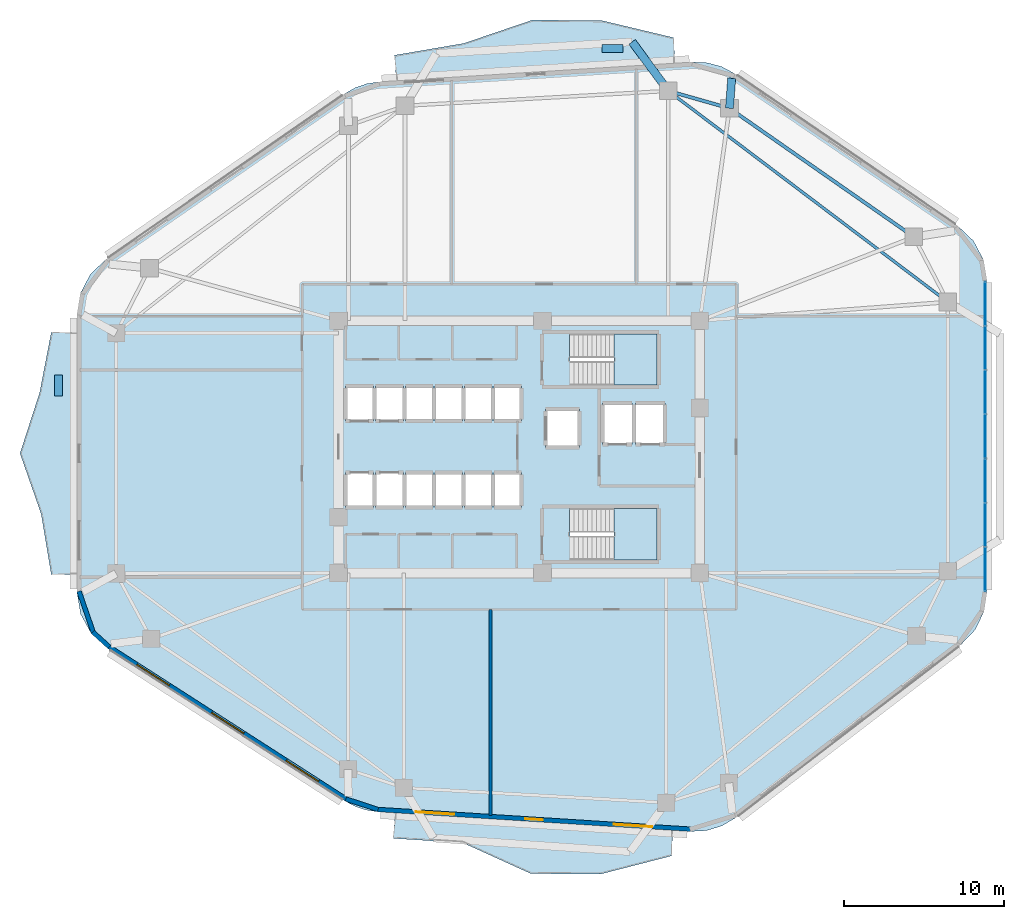
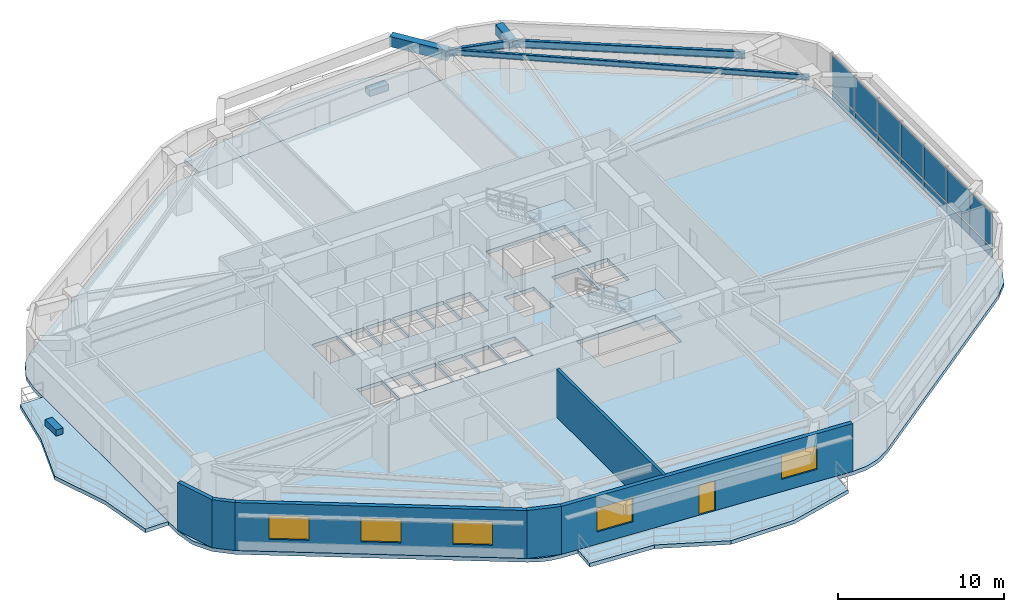
# One storey, part 7 of 14: 16 plates, 6 slabs, 6 walls, 5 beams, 5 windows, 1 door, 6 openings, 3 elements without a shape of their own.
"""IFC4 building model written with IfcOpenShell, lengths in metres."""

from ifc_helpers import new_model, si_unit, direction, frame, frame_2d, origin, origin_2d, place, context, subcontext, project, spatial, polyline, rectangle, i_section, outline, extrude, material, layer, layer_set, material_profile, profile_set, type_object, element, fill, aggregate, save


model = new_model("IFC4")

# Units and contexts
model_context = context("Model", 3, precision=1e-05, world=origin(), true_north=direction((0.0, 1.0)))
body_context = subcontext(model_context, "Body", "Model", "MODEL_VIEW")
ifc_project = project(units=[si_unit("LENGTHUNIT", "METRE"), si_unit("AREAUNIT", "SQUARE_METRE"), si_unit("VOLUMEUNIT", "CUBIC_METRE"), si_unit("PLANEANGLEUNIT", "RADIAN"), si_unit("MASSUNIT", "GRAM", prefix="KILO")], contexts=[model_context])

# Site, building, storey
site_placement = place(None, origin())
site = spatial("IfcSite", under=ifc_project, at=site_placement, CompositionType="ELEMENT")
building_placement = place(site_placement, origin())
building = spatial("IfcBuilding", under=site, at=building_placement, Name="Zulverin Broadcast Headquarters", CompositionType="ELEMENT")
storey_placement = place(building_placement, frame((0.0, 0.0, 85.800048828125)))
storey = spatial("IfcBuildingStorey", under=building, at=storey_placement, Name="L21", CompositionType="ELEMENT", Elevation=85.800048828125)

# Beams
ifc_material_1 = material(Name="Concrete C40/50", Category="concrete")
ifc_material_profile_1 = material_profile(ifc_material_1, rectangle(XDim=0.5, YDim=0.75, at=origin_2d()), Name="Concrete C40/50", Category="concrete")
ifc_profile_set_1 = profile_set([ifc_material_profile_1], Name="Concrete C40/50")
beam_type_1 = type_object("IfcBeamType", Name="BM-RC-500x750", PredefinedType="BEAM", material=ifc_profile_set_1)
beam_1_placement = place(storey_placement, frame((50.121826171875, 46.325927734375, 3.14990234375), z_axis=(0.073023006252, 0.997330256514, 0.0), x_axis=(-0.997330256514, 0.073023006252, 0.0)))
element("IfcBeam", 1, at=beam_1_placement, inside=storey, type_object=beam_type_1, Name="L22 Plate Overhang Back-Spanned Beam OVR-08", PredefinedType="BEAM", context=body_context, shape_type="SweptSolid", body=[
    extrude(rectangle(XDim=0.5, YDim=0.75, at=origin_2d()), origin(), (0.0, 0.0, 1.0), 1.875732421875),
])
beam_2_placement = place(storey_placement, frame((46.30224609375, 47.4091796875, 3.14990234375), z_axis=(-0.592925064887, 0.805257640404, 0.0), x_axis=(-0.805257640404, -0.592925064887, 0.0)))
element("IfcBeam", 2, at=beam_2_placement, inside=storey, type_object=beam_type_1, Name="L22 Balcony Column-Framed Cantilever BAL_N-1", PredefinedType="BEAM", context=body_context, shape_type="SweptSolid", body=[
    extrude(rectangle(XDim=0.5, YDim=0.75, at=origin_2d()), origin(), (0.0, 0.0, 1.0), 3.800048828125),
])
ifc_material_2 = material(Name="Structural steel S355JR", Category="steel")
ifc_material_profile_2 = material_profile(ifc_material_2, i_section(OverallWidth=0.179443359375, OverallDepth=0.412841796875, WebThickness=0.009521484375, FlangeThickness=0.01611328125, at=origin_2d()), Name="Structural steel S355JR", Category="steel")
ifc_profile_set_2 = profile_set([ifc_material_profile_2], Name="Structural steel S355JR")
beam_type_2 = type_object("IfcBeamType", Name="BM-UB-406", PredefinedType="JOIST", material=ifc_profile_set_2)
beam_3_placement = place(storey_placement, frame((63.75, 34.235107421875, 3.318603515625), z_axis=(-0.798058136838, 0.602580459546, 0.0), x_axis=(-0.602580459546, -0.798058136838, 0.0)))
element("IfcBeam", 3, at=beam_3_placement, inside=storey, type_object=beam_type_2, Name="L21 Chordal Floor Joist J-02", PredefinedType="JOIST", context=body_context, shape_type="SweptSolid", body=[
    extrude(i_section(OverallWidth=0.179443359375, OverallDepth=0.412841796875, WebThickness=0.009521484375, FlangeThickness=0.01611328125, at=origin_2d()), origin(), (0.0, 0.0, 1.0), 21.86279296875),
])
ifc_material_profile_3 = material_profile(ifc_material_2, i_section(OverallWidth=0.2119140625, OverallDepth=0.54443359375, WebThickness=0.0126953125, FlangeThickness=0.021240234375, at=origin_2d()), Name="Structural steel S355JR", Category="steel")
ifc_profile_set_3 = profile_set([ifc_material_profile_3], Name="Structural steel S355JR")
beam_type_3 = type_object("IfcBeamType", Name="BM-UB-533", PredefinedType="SPANDREL", material=ifc_profile_set_3)
beam_4_placement = place(storey_placement, frame((61.630126953125, 38.298583984375, 3.252685546875), z_axis=(-0.820183915206, 0.5720999434, 0.0), x_axis=(-0.5720999434, -0.820183915206, 0.0)))
element("IfcBeam", 4, at=beam_4_placement, inside=storey, type_object=beam_type_3, Name="L21 Perimeter Spandrel Beam SP-07", PredefinedType="SPANDREL", context=body_context, shape_type="SweptSolid", body=[
    extrude(i_section(OverallWidth=0.2119140625, OverallDepth=0.54443359375, WebThickness=0.0126953125, FlangeThickness=0.021240234375, at=origin_2d()), origin(), (0.0, 0.0, 1.0), 14.03125),
])
beam_5_placement = place(storey_placement, frame((50.121826171875, 46.325927734375, 3.252685546875), z_axis=(-0.962058150721, 0.272844487999, 0.0), x_axis=(-0.272844487999, -0.962058150721, 0.0)))
element("IfcBeam", 5, at=beam_5_placement, inside=storey, type_object=beam_type_3, Name="L21 Perimeter Spandrel Beam SP-08", PredefinedType="SPANDREL", context=body_context, shape_type="SweptSolid", body=[
    extrude(i_section(OverallWidth=0.2119140625, OverallDepth=0.54443359375, WebThickness=0.0126953125, FlangeThickness=0.021240234375, at=origin_2d()), origin(), (0.0, 0.0, 1.0), 3.97021484375),
])

# Curtain wall, plates
ifc_material_3 = material(Name="Low-zone ribbon unitised curtain wall", Category="aluminium")
curtain_wall_type = type_object("IfcCurtainWallType", Name="CW-TWR-LOW", PredefinedType="USERDEFINED", material=ifc_material_3)
curtain_wall_placement = place(storey_placement, origin())
curtain_wall = element("IfcCurtainWall", 6, at=curtain_wall_placement, inside=storey, type_object=curtain_wall_type, Name="L21 Unitised Curtain Wall CW-L21-E3", ObjectType="UNITISED CURTAIN WALL", PredefinedType="USERDEFINED")
ifc_material_4 = material(Name="Low-E double-glazed pale-silver vision glass", Category="glass")
ifc_layer_1 = layer(ifc_material_4, 0.035888671875, Name="Low-E double-glazed pale-silver vision glass", Category="glass")
ifc_layer_set_1 = layer_set([ifc_layer_1], Name="Low-E double-glazed pale-silver vision glass")
plate_type_1 = type_object("IfcPlateType", Name="CW-PNL-GLZ", PredefinedType="CURTAIN_PANEL", material=ifc_layer_set_1)
plate_1_placement = place(storey_placement, frame((66.080078125, 17.564208984375, 0.910888671875), z_axis=(0.0, 0.0, 1.0), x_axis=(0.0, 1.0, 0.0)))
plate_1 = element("IfcPlate", 7, at=plate_1_placement, type_object=plate_type_1, Name="CW-L21-E3 Vision Panel 00", PredefinedType="CURTAIN_PANEL", context=body_context, shape_type="SweptSolid", body=[
    extrude(rectangle(XDim=2.7216796875, YDim=0.035888671875, at=origin_2d()), origin(), (0.0, 0.0, 1.0), 2.47412109375),
])
plate_2_placement = place(storey_placement, frame((66.080078125, 20.32568359375, 0.910888671875), z_axis=(0.0, 0.0, 1.0), x_axis=(0.0, 1.0, 0.0)))
plate_2 = element("IfcPlate", 8, at=plate_2_placement, type_object=plate_type_1, Name="CW-L21-E3 Vision Panel 01", PredefinedType="CURTAIN_PANEL", context=body_context, shape_type="SweptSolid", body=[
    extrude(rectangle(XDim=2.7216796875, YDim=0.035888671875, at=origin_2d()), origin(), (0.0, 0.0, 1.0), 2.47412109375),
])
plate_3_placement = place(storey_placement, frame((66.080078125, 23.08740234375, 0.910888671875), z_axis=(0.0, 0.0, 1.0), x_axis=(0.0, 1.0, 0.0)))
plate_3 = element("IfcPlate", 9, at=plate_3_placement, type_object=plate_type_1, Name="CW-L21-E3 Vision Panel 02", PredefinedType="CURTAIN_PANEL", context=body_context, shape_type="SweptSolid", body=[
    extrude(rectangle(XDim=2.7216796875, YDim=0.035888671875, at=origin_2d()), origin(), (0.0, 0.0, 1.0), 2.47412109375),
])
plate_4_placement = place(storey_placement, frame((66.080078125, 25.848876953125, 0.910888671875), z_axis=(0.0, 0.0, 1.0), x_axis=(0.0, 1.0, 0.0)))
plate_4 = element("IfcPlate", 10, at=plate_4_placement, type_object=plate_type_1, Name="CW-L21-E3 Vision Panel 03", PredefinedType="CURTAIN_PANEL", context=body_context, shape_type="SweptSolid", body=[
    extrude(rectangle(XDim=2.7216796875, YDim=0.035888671875, at=origin_2d()), origin(), (0.0, 0.0, 1.0), 2.47412109375),
])
plate_5_placement = place(storey_placement, frame((66.080078125, 28.610595703125, 0.910888671875), z_axis=(0.0, 0.0, 1.0), x_axis=(0.0, 1.0, 0.0)))
plate_5 = element("IfcPlate", 11, at=plate_5_placement, type_object=plate_type_1, Name="CW-L21-E3 Vision Panel 04", PredefinedType="CURTAIN_PANEL", context=body_context, shape_type="SweptSolid", body=[
    extrude(rectangle(XDim=2.7216796875, YDim=0.035888671875, at=origin_2d()), origin(), (0.0, 0.0, 1.0), 2.47412109375),
])
plate_6_placement = place(storey_placement, frame((66.080078125, 31.3720703125, 0.910888671875), z_axis=(0.0, 0.0, 1.0), x_axis=(0.0, 1.0, 0.0)))
plate_6 = element("IfcPlate", 12, at=plate_6_placement, type_object=plate_type_1, Name="CW-L21-E3 Vision Panel 05", PredefinedType="CURTAIN_PANEL", context=body_context, shape_type="SweptSolid", body=[
    extrude(rectangle(XDim=2.7216796875, YDim=0.035888671875, at=origin_2d()), origin(), (0.0, 0.0, 1.0), 2.47412109375),
])
plate_7_placement = place(storey_placement, frame((66.080078125, 34.1337890625, 0.910888671875), z_axis=(0.0, 0.0, 1.0), x_axis=(0.0, 1.0, 0.0)))
plate_7 = element("IfcPlate", 13, at=plate_7_placement, type_object=plate_type_1, Name="CW-L21-E3 Vision Panel 06", PredefinedType="CURTAIN_PANEL", context=body_context, shape_type="SweptSolid", body=[
    extrude(rectangle(XDim=2.7216796875, YDim=0.035888671875, at=origin_2d()), origin(), (0.0, 0.0, 1.0), 2.47412109375),
])
ifc_material_5 = material(Name="Insulated brushed pale-aluminium spandrel cassette", Category="aluminium")
ifc_layer_2 = layer(ifc_material_5, 0.050048828125, Name="Insulated brushed pale-aluminium spandrel cassette", Category="aluminium")
ifc_layer_set_2 = layer_set([ifc_layer_2], Name="Insulated brushed pale-aluminium spandrel cassette")
plate_type_2 = type_object("IfcPlateType", Name="CW-PNL-SPN", PredefinedType="CURTAIN_PANEL", material=ifc_layer_set_2)
plate_8_placement = place(storey_placement, frame((66.080078125, 17.564208984375, 0.139892578125), z_axis=(0.0, 0.0, 1.0), x_axis=(0.0, 1.0, 0.0)))
plate_8 = element("IfcPlate", 14, at=plate_8_placement, type_object=plate_type_2, Name="CW-L21-E3 Spandrel Cassette 00", PredefinedType="CURTAIN_PANEL", context=body_context, shape_type="SweptSolid", body=[
    extrude(rectangle(XDim=2.7216796875, YDim=0.050048828125, at=origin_2d()), origin(), (0.0, 0.0, 1.0), 0.64111328125),
])
plate_9_placement = place(storey_placement, frame((66.080078125, 20.32568359375, 0.139892578125), z_axis=(0.0, 0.0, 1.0), x_axis=(0.0, 1.0, 0.0)))
plate_9 = element("IfcPlate", 15, at=plate_9_placement, type_object=plate_type_2, Name="CW-L21-E3 Spandrel Cassette 01", PredefinedType="CURTAIN_PANEL", context=body_context, shape_type="SweptSolid", body=[
    extrude(rectangle(XDim=2.7216796875, YDim=0.050048828125, at=origin_2d()), origin(), (0.0, 0.0, 1.0), 0.64111328125),
])
plate_10_placement = place(storey_placement, frame((66.080078125, 23.08740234375, 0.139892578125), z_axis=(0.0, 0.0, 1.0), x_axis=(0.0, 1.0, 0.0)))
plate_10 = element("IfcPlate", 16, at=plate_10_placement, type_object=plate_type_2, Name="CW-L21-E3 Spandrel Cassette 02", PredefinedType="CURTAIN_PANEL", context=body_context, shape_type="SweptSolid", body=[
    extrude(rectangle(XDim=2.7216796875, YDim=0.050048828125, at=origin_2d()), origin(), (0.0, 0.0, 1.0), 0.64111328125),
])
plate_11_placement = place(storey_placement, frame((66.080078125, 25.848876953125, 0.139892578125), z_axis=(0.0, 0.0, 1.0), x_axis=(0.0, 1.0, 0.0)))
plate_11 = element("IfcPlate", 17, at=plate_11_placement, type_object=plate_type_2, Name="CW-L21-E3 Spandrel Cassette 03", PredefinedType="CURTAIN_PANEL", context=body_context, shape_type="SweptSolid", body=[
    extrude(rectangle(XDim=2.7216796875, YDim=0.050048828125, at=origin_2d()), origin(), (0.0, 0.0, 1.0), 0.64111328125),
])
plate_12_placement = place(storey_placement, frame((66.080078125, 28.610595703125, 0.139892578125), z_axis=(0.0, 0.0, 1.0), x_axis=(0.0, 1.0, 0.0)))
plate_12 = element("IfcPlate", 18, at=plate_12_placement, type_object=plate_type_2, Name="CW-L21-E3 Spandrel Cassette 04", PredefinedType="CURTAIN_PANEL", context=body_context, shape_type="SweptSolid", body=[
    extrude(rectangle(XDim=2.7216796875, YDim=0.050048828125, at=origin_2d()), origin(), (0.0, 0.0, 1.0), 0.64111328125),
])
plate_13_placement = place(storey_placement, frame((66.080078125, 31.3720703125, 0.139892578125), z_axis=(0.0, 0.0, 1.0), x_axis=(0.0, 1.0, 0.0)))
plate_13 = element("IfcPlate", 19, at=plate_13_placement, type_object=plate_type_2, Name="CW-L21-E3 Spandrel Cassette 05", PredefinedType="CURTAIN_PANEL", context=body_context, shape_type="SweptSolid", body=[
    extrude(rectangle(XDim=2.7216796875, YDim=0.050048828125, at=origin_2d()), origin(), (0.0, 0.0, 1.0), 0.64111328125),
])
plate_14_placement = place(storey_placement, frame((66.080078125, 34.1337890625, 0.139892578125), z_axis=(0.0, 0.0, 1.0), x_axis=(0.0, 1.0, 0.0)))
plate_14 = element("IfcPlate", 20, at=plate_14_placement, type_object=plate_type_2, Name="CW-L21-E3 Spandrel Cassette 06", PredefinedType="CURTAIN_PANEL", context=body_context, shape_type="SweptSolid", body=[
    extrude(rectangle(XDim=2.7216796875, YDim=0.050048828125, at=origin_2d()), origin(), (0.0, 0.0, 1.0), 0.64111328125),
])
aggregate(curtain_wall, [plate_8, plate_1, plate_9, plate_2, plate_10, plate_3, plate_11, plate_4, plate_12, plate_5, plate_13, plate_6, plate_14, plate_7])

# Plates
ifc_material_6 = material(Name="Precast concrete C45/55", Category="concrete")
ifc_layer_3 = layer(ifc_material_6, 0.449951171875, Name="Precast concrete C45/55", Category="concrete")
ifc_layer_set_3 = layer_set([ifc_layer_3], Name="Precast concrete C45/55")
plate_type_3 = type_object("IfcPlateType", Name="PT-01_PRECAST_GFRC_TREE_PLANTER", PredefinedType="USERDEFINED", material=ifc_layer_set_3)
for number, where, z_axis, x_axis, name in (
    (21, (42.825927734375, 50.04638671875, -0.0048828125), (0.0, 0.0, 1.0), (1.0, 0.0, 0.0), "L21 Precast GFRC Tree Planter BAL_N"),
    (22, (8.25, 29.022216796875, -0.0048828125), (0.0, 0.0, 1.0), (0.0, 1.0, 0.0), "L21 Precast GFRC Tree Planter BAL_W"),
):
    element("IfcPlate", number, at=place(storey_placement, frame(where, z_axis=z_axis, x_axis=x_axis)), inside=storey, type_object=plate_type_3, Name=name, ObjectType="PLANTER", PredefinedType="USERDEFINED", context=body_context, shape_type="SweptSolid", body=[
        extrude(rectangle(XDim=1.300048828125, YDim=0.5, at=origin_2d()), origin(), (0.0, 0.0, 1.0), 0.449951171875),
    ])

# Slabs
ifc_layer_4 = layer(ifc_material_1, 0.27490234375, Name="Concrete C40/50", Category="concrete")
ifc_layer_set_4 = layer_set([ifc_layer_4], Name="Concrete C40/50")
slab_type_1 = type_object("IfcSlabType", Name="SLB-BAL-275", PredefinedType="FLOOR", material=ifc_layer_set_4)
slab_1_placement = place(storey_placement, frame((0.0, 0.0, -0.275146484375)))
element("IfcSlab", 23, at=slab_1_placement, inside=storey, type_object=slab_type_1, Name="L21 Cantilevered Planted Balcony Slab BAL_N", PredefinedType="FLOOR", context=body_context, shape_type="SweptSolid", body=[
    extrude(outline(polyline([(29.330078125, 48.04296875), (46.72509765625, 49.139892578125), (46.62451171875, 50.73681640625), (42.19189453125, 51.79296875), (37.8232421875, 51.8349609375), (33.548828125, 50.3798828125), (29.2294921875, 49.639892578125), (29.330078125, 48.04296875)])), origin(), (0.0, 0.0, 1.0), 0.275146484375),
])
slab_2_placement = place(storey_placement, frame((0.0, 0.0, -0.275146484375)))
element("IfcSlab", 24, at=slab_2_placement, inside=storey, type_object=slab_type_1, Name="L21 Cantilevered Planted Balcony Slab BAL_W", PredefinedType="FLOOR", context=body_context, shape_type="SweptSolid", body=[
    extrude(outline(polyline([(9.39990234375, 17.24365234375), (9.39990234375, 32.344482421875), (7.800048828125, 32.344482421875), (7.072021484375, 28.569091796875), (5.85009765625, 24.7939453125), (7.168701171875, 21.018798828125), (7.800048828125, 17.24365234375), (9.39990234375, 17.24365234375)])), origin(), (0.0, 0.0, 1.0), 0.275146484375),
])
slab_3_placement = place(storey_placement, frame((0.0, 0.0, -0.275146484375)))
element("IfcSlab", 25, at=slab_3_placement, inside=storey, type_object=slab_type_1, Name="L21 Cantilevered Planted Balcony Slab BAL_S", PredefinedType="FLOOR", context=body_context, shape_type="SweptSolid", body=[
    extrude(outline(polyline([(46.5927734375, 1.268310546875), (29.250244140625, 2.3623046875), (29.149658203125, 0.765380859375), (33.485107421875, 0.491943359375), (37.717041015625, -1.42822265625), (42.067626953125, -1.4638671875), (46.4921875, -0.328369140625), (46.5927734375, 1.268310546875)])), origin(), (0.0, 0.0, 1.0), 0.275146484375),
])

# Stair, slab
stair_type = type_object("IfcStairType", Name="ST-CORE-1500", PredefinedType="HALF_TURN_STAIR", material=ifc_material_1)
stair_1_placement = place(storey_placement, origin())
stair_1 = element("IfcStair", 26, at=stair_1_placement, inside=storey, type_object=stair_type, Name="L21 Core Exit Stair ST-1", PredefinedType="HALF_TURN_STAIR")
ifc_layer_5 = layer(ifc_material_1, 0.199951171875, Name="Concrete C40/50", Category="concrete")
ifc_layer_set_5 = layer_set([ifc_layer_5], Name="Concrete C40/50")
slab_type_2 = type_object("IfcSlabType", Name="SLB-ST-LND200", PredefinedType="LANDING", material=ifc_layer_set_5)
slab_4_placement = place(storey_placement, frame((0.0, 0.0, 1.699951171875)))
slab_4 = element("IfcSlab", 27, at=slab_4_placement, type_object=slab_type_2, Name="ST-1 landing 1", PredefinedType="LANDING", context=body_context, shape_type="SweptSolid", body=[
    extrude(outline(polyline([(42.929931640625, 29.050048828125), (45.60009765625, 29.050048828125), (45.60009765625, 32.25), (42.929931640625, 32.25), (42.929931640625, 29.050048828125)])), origin(), (0.0, 0.0, 1.0), 0.199951171875),
])
aggregate(stair_1, [slab_4])

stair_2_placement = place(storey_placement, origin())
stair_2 = element("IfcStair", 28, at=stair_2_placement, inside=storey, type_object=stair_type, Name="L21 Core Exit Stair ST-2", PredefinedType="HALF_TURN_STAIR")
slab_5_placement = place(storey_placement, frame((0.0, 0.0, 1.699951171875)))
slab_5 = element("IfcSlab", 29, at=slab_5_placement, type_object=slab_type_2, Name="ST-2 landing 1", PredefinedType="LANDING", context=body_context, shape_type="SweptSolid", body=[
    extrude(outline(polyline([(42.929931640625, 18.14990234375), (45.60009765625, 18.14990234375), (45.60009765625, 21.35009765625), (42.929931640625, 21.35009765625), (42.929931640625, 18.14990234375)])), origin(), (0.0, 0.0, 1.0), 0.199951171875),
])
aggregate(stair_2, [slab_5])

# Slab
ifc_layer_6 = layer(ifc_material_1, 0.27490234375, Name="Concrete C40/50", Category="concrete")
ifc_layer_set_6 = layer_set([ifc_layer_6], Name="Concrete C40/50")
slab_type_3 = type_object("IfcSlabType", Name="SLB-TWR-275", PredefinedType="FLOOR", material=ifc_layer_set_6)
slab_6_placement = place(storey_placement, frame((0.0, 0.0, -0.275146484375)))
element("IfcSlab", 30, at=slab_6_placement, inside=storey, type_object=slab_type_3, Name="L21 Main Structural Floor Slab", PredefinedType="FLOOR", context=body_context, shape_type="SweptSolid", body=[
    extrude(outline(polyline([(26.146484375, 3.089599609375), (26.774658203125, 2.75732421875), (27.44970703125, 2.535888671875), (28.152587890625, 2.431396484375), (47.690673828125, 1.19921875), (48.69189453125, 1.256103515625), (49.6513671875, 1.548828125), (50.51416015625, 2.060546875), (64.55908203125, 12.85302734375), (65.44140625, 13.77587890625), (66.005859375, 14.92138671875), (66.199951171875, 16.183349609375), (66.199951171875, 35.514404296875), (65.981689453125, 36.85107421875), (65.349365234375, 38.048583984375), (64.368896484375, 38.982666015625), (50.456298828125, 48.485595703125), (49.639404296875, 48.920166015625), (48.747314453125, 49.165283203125), (47.822998046875, 49.208984375), (28.232421875, 47.9736328125), (27.481201171875, 47.857421875), (26.76318359375, 47.607666015625), (26.102294921875, 47.232666015625), (11.20556640625, 36.89501953125), (10.238037109375, 35.9619140625), (9.614990234375, 34.77099609375), (9.39990234375, 33.4443359375), (9.39990234375, 16.1435546875), (9.631103515625, 14.769775390625), (10.298583984375, 13.547119140625), (11.32958984375, 12.610107421875), (26.146484375, 3.089599609375)]), holes=[polyline([(40.155029296875, 30.75), (40.130126953125, 30.75), (40.130126953125, 32.25), (45.60009765625, 32.25), (45.60009765625, 29.050048828125), (40.155029296875, 29.050048828125), (40.155029296875, 30.75)]), polyline([(40.155029296875, 19.85009765625), (40.130126953125, 19.85009765625), (40.130126953125, 21.35009765625), (45.60009765625, 21.35009765625), (45.60009765625, 18.14990234375), (40.155029296875, 18.14990234375), (40.155029296875, 19.85009765625)]), polyline([(26.14990234375, 26.800048828125), (27.89990234375, 26.800048828125), (27.89990234375, 29.0), (26.14990234375, 29.0), (26.14990234375, 26.800048828125)]), polyline([(28.02001953125, 26.800048828125), (29.77001953125, 26.800048828125), (29.77001953125, 29.0), (28.02001953125, 29.0), (28.02001953125, 26.800048828125)]), polyline([(26.14990234375, 21.39990234375), (27.89990234375, 21.39990234375), (27.89990234375, 23.60009765625), (26.14990234375, 23.60009765625), (26.14990234375, 21.39990234375)]), polyline([(28.02001953125, 21.39990234375), (29.77001953125, 21.39990234375), (29.77001953125, 23.60009765625), (28.02001953125, 23.60009765625), (28.02001953125, 21.39990234375)]), polyline([(29.89990234375, 21.39990234375), (31.6201171875, 21.39990234375), (31.6201171875, 23.60009765625), (29.89990234375, 23.60009765625), (29.89990234375, 21.39990234375)]), polyline([(31.739990234375, 21.39990234375), (33.4599609375, 21.39990234375), (33.4599609375, 23.60009765625), (31.739990234375, 23.60009765625), (31.739990234375, 21.39990234375)]), polyline([(33.580078125, 21.39990234375), (35.300048828125, 21.39990234375), (35.300048828125, 23.60009765625), (33.580078125, 23.60009765625), (33.580078125, 21.39990234375)]), polyline([(35.419921875, 21.39990234375), (37.139892578125, 21.39990234375), (37.139892578125, 23.60009765625), (35.419921875, 23.60009765625), (35.419921875, 21.39990234375)]), polyline([(29.89990234375, 26.800048828125), (31.6201171875, 26.800048828125), (31.6201171875, 29.0), (29.89990234375, 29.0), (29.89990234375, 26.800048828125)]), polyline([(31.739990234375, 26.800048828125), (33.4599609375, 26.800048828125), (33.4599609375, 29.0), (31.739990234375, 29.0), (31.739990234375, 26.800048828125)]), polyline([(33.580078125, 26.800048828125), (35.300048828125, 26.800048828125), (35.300048828125, 29.0), (33.580078125, 29.0), (33.580078125, 26.800048828125)]), polyline([(35.419921875, 26.800048828125), (37.139892578125, 26.800048828125), (37.139892578125, 29.0), (35.419921875, 29.0), (35.419921875, 26.800048828125)]), polyline([(42.199951171875, 25.35009765625), (44.050048828125, 25.35009765625), (44.050048828125, 27.949951171875), (42.199951171875, 27.949951171875), (42.199951171875, 25.35009765625)]), polyline([(44.25, 25.35009765625), (46.10009765625, 25.35009765625), (46.10009765625, 27.949951171875), (44.25, 27.949951171875), (44.25, 25.35009765625)]), polyline([(38.64990234375, 25.14990234375), (40.75, 25.14990234375), (40.75, 27.550048828125), (38.64990234375, 27.550048828125), (38.64990234375, 25.14990234375)])]), origin(), (0.0, 0.0, 1.0), 0.275146484375),
])

# Wall
ifc_material_7 = material(Name="Acoustic drywall steel stud", Category="steel")
ifc_layer_7 = layer(ifc_material_7, 0.199951171875, Name="Acoustic drywall steel stud", Category="steel")
ifc_layer_set_7 = layer_set([ifc_layer_7], Name="Acoustic drywall steel stud")
wall_type_1 = type_object("IfcWallType", Name="WL-ACOU-200", PredefinedType="PARTITIONING", material=ifc_layer_set_7)
wall_1_placement = place(storey_placement, frame((35.199951171875, 2.19189453125, 0.0), z_axis=(0.0, 0.0, 1.0), x_axis=(0.0, 1.0, 0.0)))
element("IfcWall", 31, at=wall_1_placement, inside=storey, type_object=wall_type_1, Name="L21 Room Partition Wall RP-03", PredefinedType="PARTITIONING", context=body_context, shape_type="SweptSolid", body=[
    extrude(rectangle(XDim=12.858154296875, YDim=0.199951171875, at=frame_2d((6.42919921875, 0.0))), origin(), (0.0, 0.0, 1.0), 3.52490234375),
])

# Wall, openings, door, windows
ifc_material_8 = material(Name="Insulated pale-metal clad concrete spandrel C40/50", Category="concrete")
ifc_layer_8 = layer(ifc_material_8, 0.280029296875, Name="Insulated pale-metal clad concrete spandrel C40/50", Category="concrete")
ifc_layer_set_8 = layer_set([ifc_layer_8], Name="Insulated pale-metal clad concrete spandrel C40/50")
wall_type_2 = type_object("IfcWallType", Name="WL-EXT-280", PredefinedType="STANDARD", material=ifc_layer_set_8)
wall_2_placement = place(storey_placement, frame((28.161376953125, 2.571044921875, 0.0), z_axis=(0.0, 0.0, 1.0), x_axis=(0.998017288298, -0.06294038654, 0.0)))
wall_2 = element("IfcWall", 32, at=wall_2_placement, inside=storey, type_object=wall_type_2, Name="L21 Pale-Metal Clad Spandrel Wall 1", PredefinedType="STANDARD", context=body_context, shape_type="SweptSolid", body=[
    extrude(rectangle(XDim=19.576904296875, YDim=0.280029296875, at=frame_2d((9.78857421875, 0.0))), origin(), (0.0, 0.0, 1.0), 3.52490234375),
])
opening_1_placement = place(wall_2_placement, frame((9.238525390625, 0.0, 0.0)))
opening_1 = element("IfcOpeningElement", 33, at=opening_1_placement, cuts=wall_2, Name="Opening D-L21-TR1", PredefinedType="OPENING", context=body_context, shape_type="SweptSolid", body=[
    extrude(rectangle(XDim=1.10009765625, YDim=2.199951171875, at=frame_2d((0.550048828125, 1.10009765625))), frame((0.0, 0.14990234375, 0.0), z_axis=(0.0, -1.0, 0.0), x_axis=(1.0, 0.0, 0.0)), (0.0, 0.0, 1.0), 0.300048828125),
])
opening_2_placement = place(wall_2_placement, frame((2.396240234375, 0.0, 0.89990234375)))
opening_2 = element("IfcOpeningElement", 34, at=opening_2_placement, cuts=wall_2, Name="Opening W-L21-E11", PredefinedType="OPENING", context=body_context, shape_type="SweptSolid", body=[
    extrude(rectangle(XDim=2.39990234375, YDim=1.75, at=frame_2d((1.199951171875, 0.875))), frame((0.0, 0.14990234375, 0.0), z_axis=(0.0, -1.0, 0.0), x_axis=(1.0, 0.0, 0.0)), (0.0, 0.0, 1.0), 0.300048828125),
])
opening_3_placement = place(wall_2_placement, frame((14.78076171875, 0.0, 0.89990234375)))
opening_3 = element("IfcOpeningElement", 35, at=opening_3_placement, cuts=wall_2, Name="Opening W-L21-E12", PredefinedType="OPENING", context=body_context, shape_type="SweptSolid", body=[
    extrude(rectangle(XDim=2.39990234375, YDim=1.75, at=frame_2d((1.199951171875, 0.875))), frame((0.0, 0.14990234375, 0.0), z_axis=(0.0, -1.0, 0.0), x_axis=(1.0, 0.0, 0.0)), (0.0, 0.0, 1.0), 0.300048828125),
])
ifc_material_9 = material(Name="Thermally broken aluminium glazed", Category="aluminium")
door_type = type_object("IfcDoorType", Name="DR-TERR-1100", OperationType="SINGLE_SWING_RIGHT", PredefinedType="DOOR", material=ifc_material_9)
door_placement = place(opening_1_placement, origin())
door = element("IfcDoor", 36, at=door_placement, inside=storey, type_object=door_type, Name="L21 Planted Terrace Glazed Access Door 1", OperationType="SINGLE_SWING_RIGHT", OverallHeight=2.199951171875, OverallWidth=1.10009765625, PredefinedType="DOOR", context=body_context, shape_type="SweptSolid", body=[
    extrude(rectangle(XDim=1.10009765625, YDim=2.199951171875, at=frame_2d((0.550048828125, 1.10009765625))), frame((0.0, 0.02490234375, 0.0), z_axis=(0.0, -1.0, 0.0), x_axis=(1.0, 0.0, 0.0)), (0.0, 0.0, 1.0), 0.050048828125),
])
fill(opening_1, door)
ifc_material_10 = material(Name="Pale anodized aluminium frame with solar-control low-E double glazing", Category="aluminium")
window_type = type_object("IfcWindowType", Name="WIN-RIB-2400", PartitioningType="SINGLE_PANEL", PredefinedType="WINDOW", material=ifc_material_10)
window_1_placement = place(opening_2_placement, origin())
window_1 = element("IfcWindow", 37, at=window_1_placement, inside=storey, type_object=window_type, Name="L21 Ribbon Glazing Window 1 1", OverallHeight=1.75, OverallWidth=2.39990234375, PartitioningType="SINGLE_PANEL", PredefinedType="WINDOW", context=body_context, shape_type="SweptSolid", body=[
    extrude(rectangle(XDim=2.39990234375, YDim=1.75, at=frame_2d((1.199951171875, 0.875))), frame((0.0, 0.030029296875, 0.0), z_axis=(0.0, -1.0, 0.0), x_axis=(1.0, 0.0, 0.0)), (0.0, 0.0, 1.0), 0.06005859375),
])
fill(opening_2, window_1)
window_2_placement = place(opening_3_placement, origin())
window_2 = element("IfcWindow", 38, at=window_2_placement, inside=storey, type_object=window_type, Name="L21 Ribbon Glazing Window 1 2", OverallHeight=1.75, OverallWidth=2.39990234375, PartitioningType="SINGLE_PANEL", PredefinedType="WINDOW", context=body_context, shape_type="SweptSolid", body=[
    extrude(rectangle(XDim=2.39990234375, YDim=1.75, at=frame_2d((1.199951171875, 0.875))), frame((0.0, 0.030029296875, 0.0), z_axis=(0.0, -1.0, 0.0), x_axis=(1.0, 0.0, 0.0)), (0.0, 0.0, 1.0), 0.06005859375),
])
fill(opening_3, window_2)

# Wall, openings, windows
wall_3_placement = place(storey_placement, frame((11.4052734375, 12.727783203125, 0.0), z_axis=(0.0, 0.0, 1.0), x_axis=(0.841304564637, -0.540561402175, 0.0)))
wall_3 = element("IfcWall", 39, at=wall_3_placement, inside=storey, type_object=wall_type_2, Name="L21 Pale-Metal Clad Spandrel Wall 8", PredefinedType="STANDARD", context=body_context, shape_type="SweptSolid", body=[
    extrude(rectangle(XDim=17.61181640625, YDim=0.280029296875, at=frame_2d((8.805908203125, 0.0))), origin(), (0.0, 0.0, 1.0), 3.52490234375),
])
opening_4_placement = place(wall_3_placement, frame((2.068603515625, 0.0, 0.89990234375)))
opening_4 = element("IfcOpeningElement", 40, at=opening_4_placement, cuts=wall_3, Name="Opening W-L21-E81", PredefinedType="OPENING", context=body_context, shape_type="SweptSolid", body=[
    extrude(rectangle(XDim=2.39990234375, YDim=1.75, at=frame_2d((1.199951171875, 0.875))), frame((0.0, 0.14990234375, 0.0), z_axis=(0.0, -1.0, 0.0), x_axis=(1.0, 0.0, 0.0)), (0.0, 0.0, 1.0), 0.300048828125),
])
opening_5_placement = place(wall_3_placement, frame((7.60595703125, 0.0, 0.89990234375)))
opening_5 = element("IfcOpeningElement", 41, at=opening_5_placement, cuts=wall_3, Name="Opening W-L21-E82", PredefinedType="OPENING", context=body_context, shape_type="SweptSolid", body=[
    extrude(rectangle(XDim=2.39990234375, YDim=1.75, at=frame_2d((1.199951171875, 0.875))), frame((0.0, 0.14990234375, 0.0), z_axis=(0.0, -1.0, 0.0), x_axis=(1.0, 0.0, 0.0)), (0.0, 0.0, 1.0), 0.300048828125),
])
opening_6_placement = place(wall_3_placement, frame((13.143310546875, 0.0, 0.89990234375)))
opening_6 = element("IfcOpeningElement", 42, at=opening_6_placement, cuts=wall_3, Name="Opening W-L21-E83", PredefinedType="OPENING", context=body_context, shape_type="SweptSolid", body=[
    extrude(rectangle(XDim=2.39990234375, YDim=1.75, at=frame_2d((1.199951171875, 0.875))), frame((0.0, 0.14990234375, 0.0), z_axis=(0.0, -1.0, 0.0), x_axis=(1.0, 0.0, 0.0)), (0.0, 0.0, 1.0), 0.300048828125),
])
window_3_placement = place(opening_4_placement, origin())
window_3 = element("IfcWindow", 43, at=window_3_placement, inside=storey, type_object=window_type, Name="L21 Ribbon Glazing Window 8 1", OverallHeight=1.75, OverallWidth=2.39990234375, PartitioningType="SINGLE_PANEL", PredefinedType="WINDOW", context=body_context, shape_type="SweptSolid", body=[
    extrude(rectangle(XDim=2.39990234375, YDim=1.75, at=frame_2d((1.199951171875, 0.875))), frame((0.0, 0.030029296875, 0.0), z_axis=(0.0, -1.0, 0.0), x_axis=(1.0, 0.0, 0.0)), (0.0, 0.0, 1.0), 0.06005859375),
])
fill(opening_4, window_3)
window_4_placement = place(opening_5_placement, origin())
window_4 = element("IfcWindow", 44, at=window_4_placement, inside=storey, type_object=window_type, Name="L21 Ribbon Glazing Window 8 2", OverallHeight=1.75, OverallWidth=2.39990234375, PartitioningType="SINGLE_PANEL", PredefinedType="WINDOW", context=body_context, shape_type="SweptSolid", body=[
    extrude(rectangle(XDim=2.39990234375, YDim=1.75, at=frame_2d((1.199951171875, 0.875))), frame((0.0, 0.030029296875, 0.0), z_axis=(0.0, -1.0, 0.0), x_axis=(1.0, 0.0, 0.0)), (0.0, 0.0, 1.0), 0.06005859375),
])
fill(opening_5, window_4)
window_5_placement = place(opening_6_placement, origin())
window_5 = element("IfcWindow", 45, at=window_5_placement, inside=storey, type_object=window_type, Name="L21 Ribbon Glazing Window 8 3", OverallHeight=1.75, OverallWidth=2.39990234375, PartitioningType="SINGLE_PANEL", PredefinedType="WINDOW", context=body_context, shape_type="SweptSolid", body=[
    extrude(rectangle(XDim=2.39990234375, YDim=1.75, at=frame_2d((1.199951171875, 0.875))), frame((0.0, 0.030029296875, 0.0), z_axis=(0.0, -1.0, 0.0), x_axis=(1.0, 0.0, 0.0)), (0.0, 0.0, 1.0), 0.06005859375),
])
fill(opening_6, window_5)

# Walls
wall_4_placement = place(storey_placement, frame((9.5322265625, 16.189453125, 0.0), z_axis=(0.0, 0.0, 1.0), x_axis=(0.32708309668, -0.944995580871, 0.0)))
element("IfcWall", 46, at=wall_4_placement, inside=storey, type_object=wall_type_2, Name="L21 Wind-Shaped Corner Spandrel Wall 7-1", PredefinedType="STANDARD", context=body_context, shape_type="SweptSolid", body=[
    extrude(rectangle(XDim=2.74755859375, YDim=0.280029296875, at=frame_2d((1.373779296875, 0.0))), origin(), (0.0, 0.0, 1.0), 3.52490234375),
])
wall_5_placement = place(storey_placement, frame((10.392822265625, 13.650634765625, 0.0), z_axis=(0.0, 0.0, 1.0), x_axis=(0.74003521851, -0.672568119498, 0.0)))
element("IfcWall", 47, at=wall_5_placement, inside=storey, type_object=wall_type_2, Name="L21 Wind-Shaped Corner Spandrel Wall 7-2", PredefinedType="STANDARD", context=body_context, shape_type="SweptSolid", body=[
    extrude(rectangle(XDim=1.39306640625, YDim=0.280029296875, at=frame_2d((0.696533203125, 0.0))), origin(), (0.0, 0.0, 1.0), 3.52490234375),
])
wall_6_placement = place(storey_placement, frame((26.18994140625, 3.22265625, 0.0), z_axis=(0.0, 0.0, 1.0), x_axis=(0.95016442175, -0.311749212734, 0.0)))
element("IfcWall", 48, at=wall_6_placement, inside=storey, type_object=wall_type_2, Name="L21 Wind-Shaped Corner Spandrel Wall 8-1", PredefinedType="STANDARD", context=body_context, shape_type="SweptSolid", body=[
    extrude(rectangle(XDim=2.111328125, YDim=0.280029296875, at=frame_2d((1.0556640625, 0.0))), origin(), (0.0, 0.0, 1.0), 3.52490234375),
])

save(model, "model.ifc")
